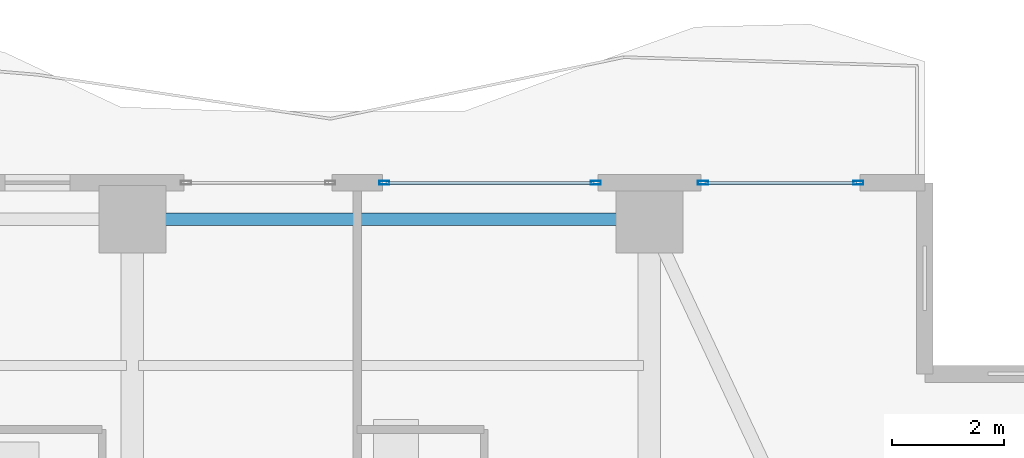
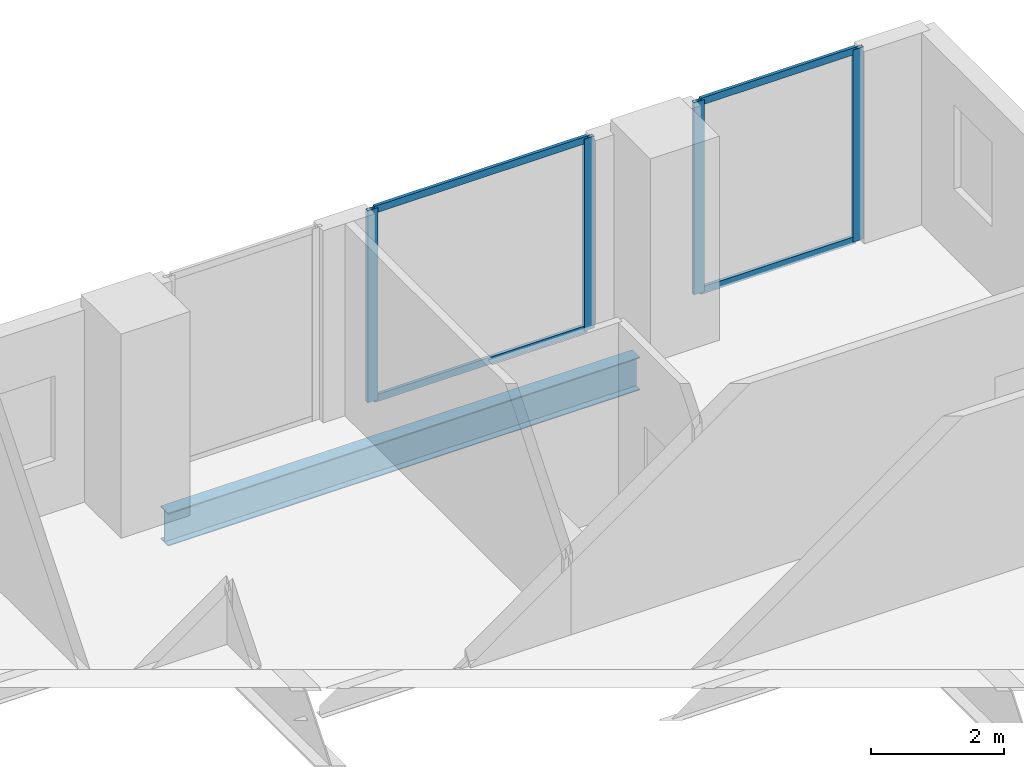
# One storey, part 22 of 32: 8 members, 1 beam, 2 elements without a shape of their own.
"""IFC4 building model written with IfcOpenShell, lengths in metres."""

from ifc_helpers import new_model, si_unit, direction, frame, origin, origin_2d, place, context, subcontext, project, spatial, hollow_rectangle, i_section, extrude, material, layer, layer_set, material_profile, profile_set, type_object, element, aggregate, save


model = new_model("IFC4")

# Units and contexts
model_context = context("Model", 3, precision=1e-05, world=origin(), true_north=direction((0.0, 1.0)))
body_context = subcontext(model_context, "Body", "Model", "MODEL_VIEW")
ifc_project = project(units=[si_unit("LENGTHUNIT", "METRE"), si_unit("AREAUNIT", "SQUARE_METRE"), si_unit("VOLUMEUNIT", "CUBIC_METRE"), si_unit("PLANEANGLEUNIT", "RADIAN"), si_unit("MASSUNIT", "GRAM", prefix="KILO")], contexts=[model_context])

# Site, building, storey
site_placement = place(None, origin())
site = spatial("IfcSite", under=ifc_project, at=site_placement, CompositionType="ELEMENT")
building_placement = place(site_placement, origin())
building = spatial("IfcBuilding", under=site, at=building_placement, Name="Zuhayl Quay Hotel", CompositionType="ELEMENT")
storey_placement = place(building_placement, frame((0.0, 0.0, 177.39990234375)))
storey = spatial("IfcBuildingStorey", under=building, at=storey_placement, Name="L44", CompositionType="ELEMENT", Elevation=177.39990234375)

# Beam
ifc_material_1 = material(Name="Steel ASTM A992 Grade 50", Category="steel")
ifc_material_profile_1 = material_profile(ifc_material_1, i_section(OverallWidth=0.22802734375, OverallDepth=0.60693359375, WebThickness=0.01123046875, FlangeThickness=0.017333984375, at=origin_2d()), Name="W24X76")
ifc_profile_set_1 = profile_set([ifc_material_profile_1], Name="Steel ASTM A992 Grade 50")
beam_type = type_object("IfcBeamType", Name="BM_B3_W24X76", PredefinedType="BEAM", material=ifc_profile_set_1)
beam_placement = place(storey_placement, frame((13.300048828125, 32.949951171875, -0.5234375), z_axis=(-1.0, 0.0, 0.0), x_axis=(0.0, -1.0, 0.0)))
element("IfcBeam", 1, at=beam_placement, inside=storey, type_object=beam_type, Name="L44 Floor Beam RG_L44_07", PredefinedType="BEAM", context=body_context, shape_type="SweptSolid", body=[
    extrude(i_section(OverallWidth=0.22802734375, OverallDepth=0.60693359375, WebThickness=0.01123046875, FlangeThickness=0.017333984375, at=origin_2d()), origin(), (0.0, 0.0, 1.0), 8.199951171875),
])

# Curtain wall, members
ifc_material_2 = material(Name="Anodised Aluminium 6063-T6", Category="aluminium")
ifc_layer = layer(ifc_material_2, 0.175048828125, Name="Anodised Aluminium 6063-T6", Category="aluminium")
ifc_layer_set = layer_set([ifc_layer], Name="Anodised Aluminium 6063-T6")
curtain_wall_type = type_object("IfcCurtainWallType", Name="CW_SYS_Z3", PredefinedType="USERDEFINED", material=ifc_layer_set)
curtain_wall_1_placement = place(storey_placement, origin())
curtain_wall_1 = element("IfcCurtainWall", 2, at=curtain_wall_1_placement, inside=storey, type_object=curtain_wall_type, Name="L44 Curtain Wall ENV_L44_N_CW4", ObjectType="UNITISED CURTAIN WALL", PredefinedType="USERDEFINED")
ifc_material_3 = material(Name="Black-anodised aluminium 6063-T6", Category="aluminium")
ifc_material_profile_2 = material_profile(ifc_material_3, hollow_rectangle(XDim=0.06494140625, YDim=0.179931640625, WallThickness=0.00341796875, at=origin_2d()), Name="ALU180X65")
ifc_profile_set_2 = profile_set([ifc_material_profile_2], Name="Black-anodised aluminium 6063-T6")
member_type_1 = type_object("IfcMemberType", Name="MB_CW_MUL_180", PredefinedType="MULLION", material=ifc_profile_set_2)
member_1_placement = place(storey_placement, frame((9.08251953125, 33.60009765625, 0.0), z_axis=(0.0, 0.0, 1.0), x_axis=(0.0, 1.0, 0.0)))
member_1 = element("IfcMember", 3, at=member_1_placement, type_object=member_type_1, Name="CW-Z3 mullion 1", PredefinedType="MULLION", context=body_context, shape_type="SweptSolid", body=[
    extrude(hollow_rectangle(XDim=0.06494140625, YDim=0.179931640625, WallThickness=0.00341796875, at=origin_2d()), origin(), (0.0, 0.0, 1.0), 3.530029296875),
])
member_2_placement = place(storey_placement, frame((12.847412109375, 33.60009765625, 0.0), z_axis=(0.0, 0.0, 1.0), x_axis=(0.0, 1.0, 0.0)))
member_2 = element("IfcMember", 4, at=member_2_placement, type_object=member_type_1, Name="CW-Z3 mullion 2", PredefinedType="MULLION", context=body_context, shape_type="SweptSolid", body=[
    extrude(hollow_rectangle(XDim=0.06494140625, YDim=0.179931640625, WallThickness=0.00341796875, at=origin_2d()), origin(), (0.0, 0.0, 1.0), 3.530029296875),
])

curtain_wall_2_placement = place(storey_placement, origin())
curtain_wall_2 = element("IfcCurtainWall", 5, at=curtain_wall_2_placement, inside=storey, type_object=curtain_wall_type, Name="L44 Curtain Wall ENV_L44_N_CW5", ObjectType="UNITISED CURTAIN WALL", PredefinedType="USERDEFINED")
member_3_placement = place(storey_placement, frame((14.75244140625, 33.60009765625, 0.0), z_axis=(0.0, 0.0, 1.0), x_axis=(0.0, 1.0, 0.0)))
member_3 = element("IfcMember", 6, at=member_3_placement, type_object=member_type_1, Name="CW-Z3 mullion 1", PredefinedType="MULLION", context=body_context, shape_type="SweptSolid", body=[
    extrude(hollow_rectangle(XDim=0.06494140625, YDim=0.179931640625, WallThickness=0.00341796875, at=origin_2d()), origin(), (0.0, 0.0, 1.0), 3.530029296875),
])
member_4_placement = place(storey_placement, frame((17.517578125, 33.60009765625, 0.0), z_axis=(0.0, 0.0, 1.0), x_axis=(0.0, 1.0, 0.0)))
member_4 = element("IfcMember", 7, at=member_4_placement, type_object=member_type_1, Name="CW-Z3 mullion 2", PredefinedType="MULLION", context=body_context, shape_type="SweptSolid", body=[
    extrude(hollow_rectangle(XDim=0.06494140625, YDim=0.179931640625, WallThickness=0.00341796875, at=origin_2d()), origin(), (0.0, 0.0, 1.0), 3.530029296875),
])

# Member
ifc_material_profile_3 = material_profile(ifc_material_3, hollow_rectangle(XDim=0.054931640625, YDim=0.1298828125, WallThickness=0.0029296875, at=origin_2d()), Name="ALU130X55")
ifc_profile_set_3 = profile_set([ifc_material_profile_3], Name="Black-anodised aluminium 6063-T6")
member_type_2 = type_object("IfcMemberType", Name="MB_CW_TRN_130", PredefinedType="USERDEFINED", material=ifc_profile_set_3)
member_5_placement = place(storey_placement, frame((9.114990234375, 33.60009765625, 0.027587890625), z_axis=(1.0, 0.0, 0.0), x_axis=(0.0, 1.0, 0.0)))
member_5 = element("IfcMember", 8, at=member_5_placement, type_object=member_type_2, Name="CW-Z3 transom 1.1", ObjectType="TRANSOM", PredefinedType="USERDEFINED", context=body_context, shape_type="SweptSolid", body=[
    extrude(hollow_rectangle(XDim=0.054931640625, YDim=0.1298828125, WallThickness=0.0029296875, at=origin_2d()), origin(), (0.0, 0.0, 1.0), 3.699951171875),
])

member_6_placement = place(storey_placement, frame((9.114990234375, 33.60009765625, 3.502685546875), z_axis=(1.0, 0.0, 0.0), x_axis=(0.0, 1.0, 0.0)))
member_6 = element("IfcMember", 9, at=member_6_placement, type_object=member_type_2, Name="CW-Z3 transom 1.2", ObjectType="TRANSOM", PredefinedType="USERDEFINED", context=body_context, shape_type="SweptSolid", body=[
    extrude(hollow_rectangle(XDim=0.054931640625, YDim=0.1298828125, WallThickness=0.0029296875, at=origin_2d()), origin(), (0.0, 0.0, 1.0), 3.699951171875),
])

aggregate(curtain_wall_1, [member_1, member_2, member_5, member_6])

member_7_placement = place(storey_placement, frame((14.784912109375, 33.60009765625, 0.027587890625), z_axis=(1.0, 0.0, 0.0), x_axis=(0.0, 1.0, 0.0)))
member_7 = element("IfcMember", 10, at=member_7_placement, type_object=member_type_2, Name="CW-Z3 transom 1.1", ObjectType="TRANSOM", PredefinedType="USERDEFINED", context=body_context, shape_type="SweptSolid", body=[
    extrude(hollow_rectangle(XDim=0.054931640625, YDim=0.1298828125, WallThickness=0.0029296875, at=origin_2d()), origin(), (0.0, 0.0, 1.0), 2.7001953125),
])

member_8_placement = place(storey_placement, frame((14.784912109375, 33.60009765625, 3.502685546875), z_axis=(1.0, 0.0, 0.0), x_axis=(0.0, 1.0, 0.0)))
member_8 = element("IfcMember", 11, at=member_8_placement, type_object=member_type_2, Name="CW-Z3 transom 1.2", ObjectType="TRANSOM", PredefinedType="USERDEFINED", context=body_context, shape_type="SweptSolid", body=[
    extrude(hollow_rectangle(XDim=0.054931640625, YDim=0.1298828125, WallThickness=0.0029296875, at=origin_2d()), origin(), (0.0, 0.0, 1.0), 2.7001953125),
])

aggregate(curtain_wall_2, [member_3, member_4, member_7, member_8])

save(model, "model.ifc")
